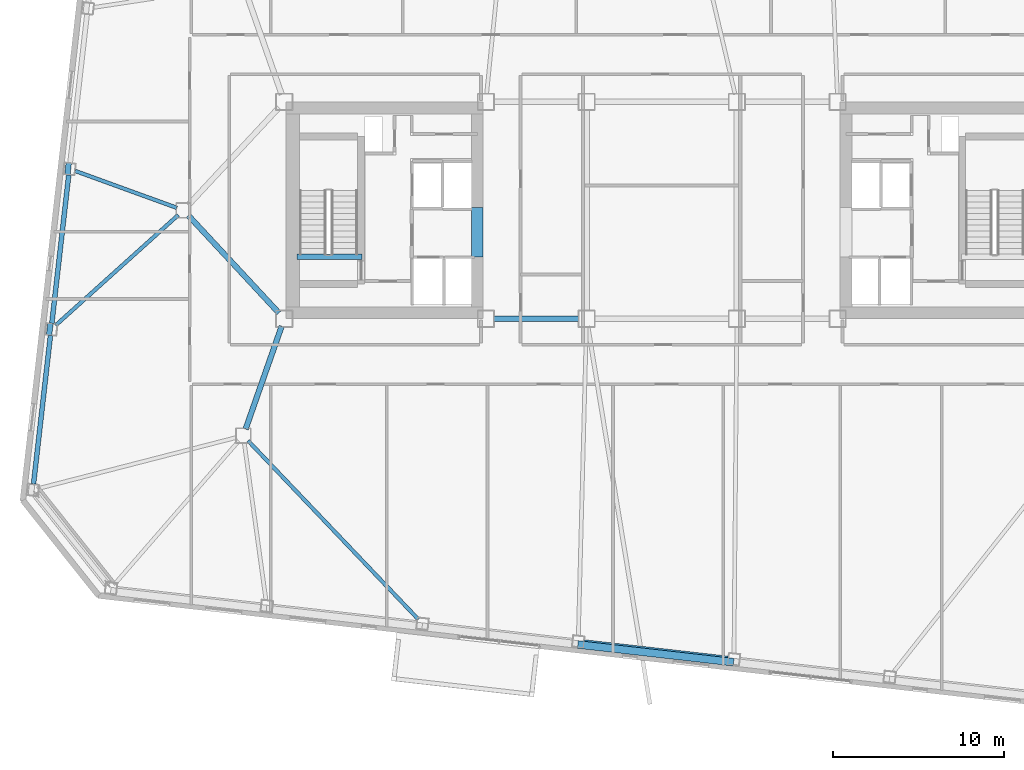
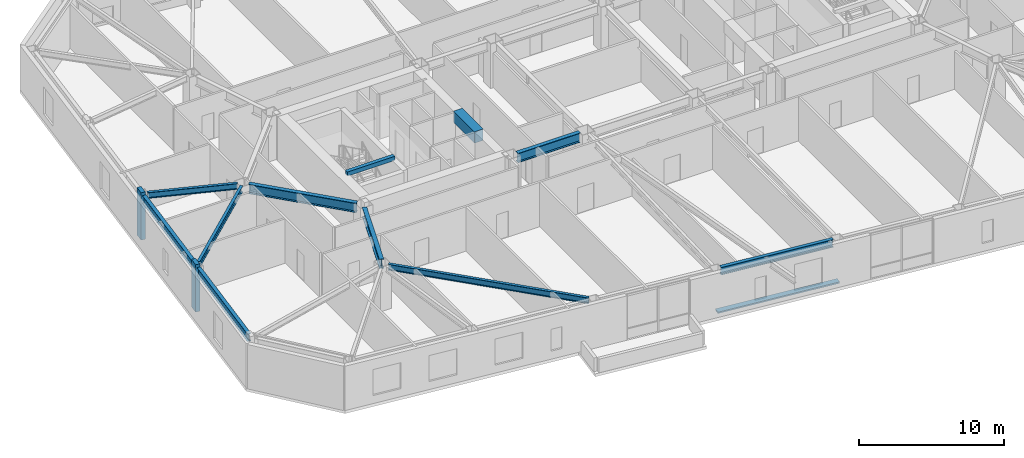
# One storey, part 3 of 20: 11 beams, 3 members.
"""IFC4 building model written with IfcOpenShell, lengths in metres."""

from ifc_helpers import new_model, si_unit, direction, frame, origin, origin_2d, place, context, subcontext, project, spatial, rectangle, i_section, extrude, material, material_profile, profile_set, type_object, element, save


model = new_model("IFC4")

# Units and contexts
model_context = context("Model", 3, precision=1e-05, world=origin(), true_north=direction((0.0, 1.0)))
body_context = subcontext(model_context, "Body", "Model", "MODEL_VIEW")
ifc_project = project(units=[si_unit("LENGTHUNIT", "METRE"), si_unit("AREAUNIT", "SQUARE_METRE"), si_unit("VOLUMEUNIT", "CUBIC_METRE"), si_unit("PLANEANGLEUNIT", "RADIAN"), si_unit("MASSUNIT", "GRAM", prefix="KILO")], contexts=[model_context])

# Site, building, storey
site_placement = place(None, origin())
site = spatial("IfcSite", under=ifc_project, at=site_placement, CompositionType="ELEMENT")
building_placement = place(site_placement, origin())
building = spatial("IfcBuilding", under=site, at=building_placement, Name="Tavrogorsk Clinical Tower", CompositionType="ELEMENT")
storey_placement = place(building_placement, frame((0.0, 0.0, 105.39990234375)))
storey = spatial("IfcBuildingStorey", under=building, at=storey_placement, Name="L23", CompositionType="ELEMENT", Elevation=105.39990234375)

# Member
ifc_material_1 = material(Name="Anodised aluminium alloy AW-6063", Category="aluminium")
ifc_material_profile_1 = material_profile(ifc_material_1, rectangle(XDim=0.449951171875, YDim=0.1201171875, at=origin_2d()), Name="ALU-SUNSHADE-450x120")
ifc_profile_set_1 = profile_set([ifc_material_profile_1], Name="Anodised aluminium alloy AW-6063")
member_type_1 = type_object("IfcMemberType", Name="ChicagoSunshade_450x120", PredefinedType="USERDEFINED", material=ifc_profile_set_1)
member_placement = place(storey_placement, frame((-4.909912109375, -25.42431640625, 0.18017578125), z_axis=(0.993572654864, -0.113196199166, 0.0), x_axis=(0.113196199166, 0.993572654864, 0.0)))
element("IfcMember", 1, at=member_placement, inside=storey, type_object=member_type_1, Name="L23 South Aluminium Sunshade S4", ObjectType="SUNSHADE", PredefinedType="USERDEFINED", context=body_context, shape_type="SweptSolid", body=[
    extrude(rectangle(XDim=0.449951171875, YDim=0.1201171875, at=origin_2d()), origin(), (0.0, 0.0, 1.0), 9.17724609375),
])

# Beams
ifc_material_2 = material(Name="Concrete B80", Category="concrete")
ifc_material_profile_2 = material_profile(ifc_material_2, rectangle(XDim=0.699951171875, YDim=0.949951171875, at=origin_2d()), Name="RC-CB-700x950")
ifc_profile_set_2 = profile_set([ifc_material_profile_2], Name="Concrete B80")
beam_type_1 = type_object("IfcBeamType", Name="CouplingBeam_RC700x950", PredefinedType="LINTEL", material=ifc_profile_set_2)
beam_1_placement = place(storey_placement, frame((-10.800048828125, -2.75, 3.26513671875), z_axis=(0.0, 1.0, 0.0), x_axis=(-1.0, 0.0, 0.0)))
element("IfcBeam", 2, at=beam_1_placement, inside=storey, type_object=beam_type_1, Name="L23 Core West Coupling Beam", PredefinedType="LINTEL", context=body_context, shape_type="SweptSolid", body=[
    extrude(rectangle(XDim=0.699951171875, YDim=0.949951171875, at=origin_2d()), origin(), (0.0, 0.0, 1.0), 2.89990234375),
])
ifc_material_3 = material(Name="Structural steel S355", Category="steel")
ifc_material_profile_3 = material_profile(ifc_material_3, i_section(OverallWidth=0.219970703125, OverallDepth=0.5, WebThickness=0.012939453125, FlangeThickness=0.02001953125, at=origin_2d()), Name="B-500x220x13x20")
ifc_profile_set_3 = profile_set([ifc_material_profile_3], Name="Structural steel S355")
beam_type_2 = type_object("IfcBeamType", Name="FloorBeam_B500", PredefinedType="BEAM", material=ifc_profile_set_3)
beam_2_placement = place(storey_placement, frame((-24.217041015625, -13.496826171875, 3.489990234375), z_axis=(0.689995410805, -0.723813741972, 0.0), x_axis=(0.723813741972, 0.689995410805, 0.0)))
element("IfcBeam", 3, at=beam_2_placement, inside=storey, type_object=beam_type_2, Name="L23 Radial Floor Beam S3", PredefinedType="BEAM", context=body_context, shape_type="SweptSolid", body=[
    extrude(i_section(OverallWidth=0.219970703125, OverallDepth=0.5, WebThickness=0.012939453125, FlangeThickness=0.02001953125, at=origin_2d()), origin(), (0.0, 0.0, 1.0), 14.4384765625),
])
beam_3_placement = place(storey_placement, frame((-28.385498046875, 0.139892578125, 3.489990234375), z_axis=(-0.939993443432, 0.341192506225, 0.0), x_axis=(-0.341192506225, -0.939993443432, 0.0)))
element("IfcBeam", 4, at=beam_3_placement, inside=storey, type_object=beam_type_2, Name="L23 Radial Floor Beam W3", PredefinedType="BEAM", context=body_context, shape_type="SweptSolid", body=[
    extrude(i_section(OverallWidth=0.219970703125, OverallDepth=0.5, WebThickness=0.012939453125, FlangeThickness=0.02001953125, at=origin_2d()), origin(), (0.0, 0.0, 1.0), 6.33837890625),
])
beam_4_placement = place(storey_placement, frame((-28.3046875, -0.274169921875, 3.489990234375), z_axis=(-0.743369550828, -0.668880939257, 0.0), x_axis=(0.668880939257, -0.743369550828, 0.0)))
element("IfcBeam", 5, at=beam_4_placement, inside=storey, type_object=beam_type_2, Name="L23 Radial Floor Beam W4", PredefinedType="BEAM", context=body_context, shape_type="SweptSolid", body=[
    extrude(i_section(OverallWidth=0.219970703125, OverallDepth=0.5, WebThickness=0.012939453125, FlangeThickness=0.02001953125, at=origin_2d()), origin(), (0.0, 0.0, 1.0), 9.658935546875),
])

# Members
ifc_material_4 = material(Name="Precast concrete B45 with limestone cladding", Category="masonry")
ifc_material_profile_4 = material_profile(ifc_material_4, rectangle(XDim=0.320068359375, YDim=0.719970703125, at=origin_2d()), Name="LIMESTONE-FIN-320x720")
ifc_profile_set_4 = profile_set([ifc_material_profile_4], Name="Precast concrete B45 with limestone cladding")
member_type_2 = type_object("IfcMemberType", Name="LimestonePleatFin_320x720", PredefinedType="USERDEFINED", material=ifc_profile_set_4)
for number, where, z_axis, x_axis, name in (
    (6, (-34.759521484375, 2.433837890625, 0.0), (0.0, 0.0, 1.0), (0.993571855677, -0.113203213768, 0.0), "L23 W Pleated Stone Fin 2"),
    (7, (-35.83056640625, -6.96533203125, 0.0), (0.0, 0.0, 1.0), (0.993571855677, -0.113203213768, 0.0), "L23 W Pleated Stone Fin 3"),
):
    element("IfcMember", number, at=place(storey_placement, frame(where, z_axis=z_axis, x_axis=x_axis)), inside=storey, type_object=member_type_2, Name=name, ObjectType="FIN", PredefinedType="USERDEFINED", context=body_context, shape_type="SweptSolid", body=[
        extrude(rectangle(XDim=0.320068359375, YDim=0.719970703125, at=origin_2d()), origin(), (0.0, 0.0, 1.0), 4.0),
    ])

# Beams
ifc_material_5 = material(Name="Structural steel S390", Category="steel")
ifc_material_profile_5 = material_profile(ifc_material_5, i_section(OverallWidth=0.320068359375, OverallDepth=0.800048828125, WebThickness=0.02001953125, FlangeThickness=0.033935546875, at=origin_2d()), Name="B-800x320x20x34")
ifc_profile_set_5 = profile_set([ifc_material_profile_5], Name="Structural steel S390")
beam_type_3 = type_object("IfcBeamType", Name="PrimaryGirder_B800", PredefinedType="USERDEFINED", material=ifc_profile_set_5)
beam_5_placement = place(storey_placement, frame((-9.840087890625, -6.35009765625, 3.340087890625), z_axis=(1.0, 0.0, 0.0), x_axis=(0.0, 1.0, 0.0)))
element("IfcBeam", 8, at=beam_5_placement, inside=storey, type_object=beam_type_3, Name="L23 Primary Spine Girder MG-01", ObjectType="GIRDER", PredefinedType="USERDEFINED", context=body_context, shape_type="SweptSolid", body=[
    extrude(i_section(OverallWidth=0.320068359375, OverallDepth=0.800048828125, WebThickness=0.02001953125, FlangeThickness=0.033935546875, at=origin_2d()), origin(), (0.0, 0.0, 1.0), 4.97998046875),
])
beam_6_placement = place(storey_placement, frame((-24.364501953125, -12.81298828125, 3.340087890625), z_axis=(0.330660234815, 0.943749865755, 0.0), x_axis=(-0.943749865755, 0.330660234815, 0.0)))
element("IfcBeam", 9, at=beam_6_placement, inside=storey, type_object=beam_type_3, Name="L23 Spine Link Girder OPG-1", ObjectType="GIRDER", PredefinedType="USERDEFINED", context=body_context, shape_type="SweptSolid", body=[
    extrude(i_section(OverallWidth=0.320068359375, OverallDepth=0.800048828125, WebThickness=0.02001953125, FlangeThickness=0.033935546875, at=origin_2d()), origin(), (0.0, 0.0, 1.0), 6.38818359375),
])
beam_7_placement = place(storey_placement, frame((-27.720947265625, -0.30029296875, 3.340087890625), z_axis=(0.680675630035, -0.732584934787, 0.0), x_axis=(0.732584934787, 0.680675630035, 0.0)))
element("IfcBeam", 10, at=beam_7_placement, inside=storey, type_object=beam_type_3, Name="L23 Spine Link Girder OPG-5", ObjectType="GIRDER", PredefinedType="USERDEFINED", context=body_context, shape_type="SweptSolid", body=[
    extrude(i_section(OverallWidth=0.320068359375, OverallDepth=0.800048828125, WebThickness=0.02001953125, FlangeThickness=0.033935546875, at=origin_2d()), origin(), (0.0, 0.0, 1.0), 7.7978515625),
])
ifc_material_6 = material(Name="Structural steel S390", Category="steel")
ifc_material_profile_6 = material_profile(ifc_material_6, i_section(OverallWidth=0.280029296875, OverallDepth=0.64990234375, WebThickness=0.01611328125, FlangeThickness=0.02490234375, at=origin_2d()), Name="B-650x280x16x25")
ifc_profile_set_6 = profile_set([ifc_material_profile_6], Name="Structural steel S390")
beam_type_4 = type_object("IfcBeamType", Name="SpandrelBeam_B650", PredefinedType="SPANDREL", material=ifc_profile_set_6)
beam_8_placement = place(storey_placement, frame((-4.533935546875, -25.2861328125, 3.4150390625), z_axis=(0.993572695356, -0.113195843756, 0.0), x_axis=(0.113195843756, 0.993572695356, 0.0)))
element("IfcBeam", 11, at=beam_8_placement, inside=storey, type_object=beam_type_4, Name="L23 Perimeter Spandrel S4-S5", PredefinedType="SPANDREL", context=body_context, shape_type="SweptSolid", body=[
    extrude(i_section(OverallWidth=0.280029296875, OverallDepth=0.64990234375, WebThickness=0.01611328125, FlangeThickness=0.02490234375, at=origin_2d()), origin(), (0.0, 0.0, 1.0), 8.461181640625),
])
for number, where, z_axis, x_axis, name in (
    (12, (-34.720703125, 2.069091796875, 3.4150390625), (-0.113192226434, -0.993573107464, 0.0), (0.993573107464, -0.113192226434, 0.0), "L23 Perimeter Spandrel W3-W4"),
    (13, (-35.79150390625, -7.330078125, 3.4150390625), (-0.113192226434, -0.993573107464, 0.0), (0.993573107464, -0.113192226434, 0.0), "L23 Perimeter Spandrel W4-W5"),
):
    element("IfcBeam", number, at=place(storey_placement, frame(where, z_axis=z_axis, x_axis=x_axis)), inside=storey, type_object=beam_type_4, Name=name, PredefinedType="SPANDREL", context=body_context, shape_type="SweptSolid", body=[
        extrude(i_section(OverallWidth=0.280029296875, OverallDepth=0.64990234375, WebThickness=0.01611328125, FlangeThickness=0.02490234375, at=origin_2d()), origin(), (0.0, 0.0, 1.0), 8.743896484375),
    ])
ifc_material_7 = material(Name="Concrete B60", Category="concrete")
ifc_material_profile_7 = material_profile(ifc_material_7, rectangle(XDim=0.300048828125, YDim=0.35009765625, at=origin_2d()), Name="RC-SHB-300x350")
ifc_profile_set_7 = profile_set([ifc_material_profile_7], Name="Concrete B60")
beam_type_5 = type_object("IfcBeamType", Name="StairHeaderBeam_RC300x350", PredefinedType="BEAM", material=ifc_profile_set_7)
beam_9_placement = place(storey_placement, frame((-21.35009765625, -2.719970703125, 3.8251953125), z_axis=(1.0, 0.0, 0.0), x_axis=(0.0, 1.0, 0.0)))
element("IfcBeam", 14, at=beam_9_placement, inside=storey, type_object=beam_type_5, Name="L24 ST-W Landing Header Beam", PredefinedType="BEAM", context=body_context, shape_type="SweptSolid", body=[
    extrude(rectangle(XDim=0.300048828125, YDim=0.35009765625, at=origin_2d()), origin(), (0.0, 0.0, 1.0), 3.800048828125),
])

save(model, "model.ifc")
